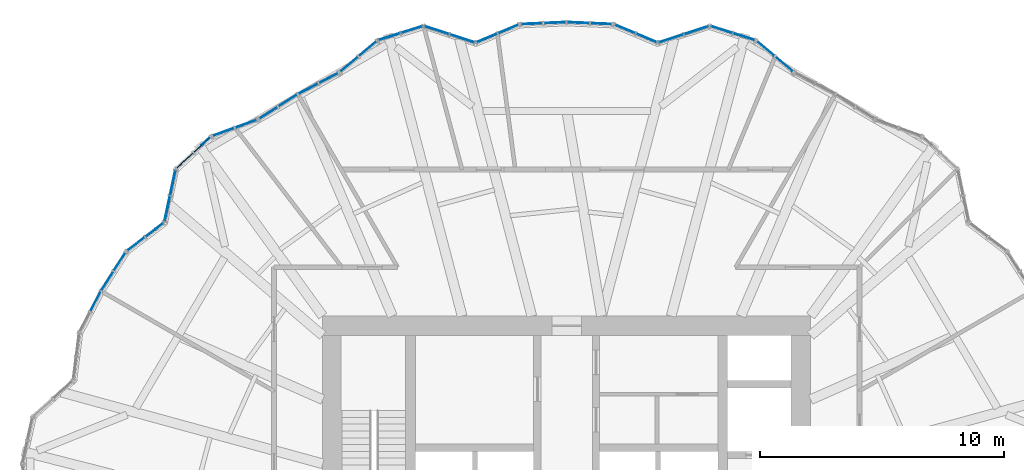
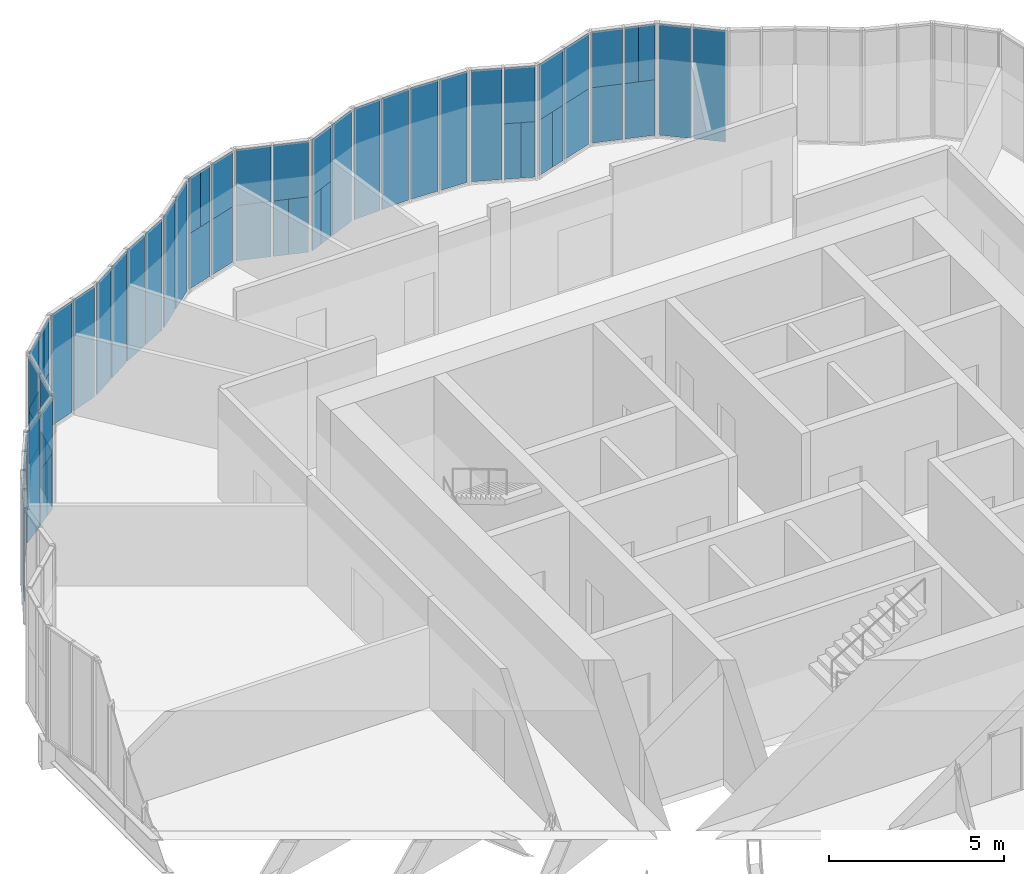
# One storey, part 18 of 23: 59 plates, 18 elements without a shape of their own.
"""IFC4 building model written with IfcOpenShell, lengths in metres."""

from ifc_helpers import new_model, si_unit, direction, frame, origin, origin_2d, place, context, subcontext, project, spatial, rectangle, extrude, material, layer, layer_set, type_object, element, aggregate, save


model = new_model("IFC4")

# Units and contexts
model_context = context("Model", 3, precision=1e-05, world=origin(), true_north=direction((0.0, 1.0)))
body_context = subcontext(model_context, "Body", "Model", "MODEL_VIEW")
ifc_project = project(units=[si_unit("LENGTHUNIT", "METRE"), si_unit("AREAUNIT", "SQUARE_METRE"), si_unit("VOLUMEUNIT", "CUBIC_METRE"), si_unit("PLANEANGLEUNIT", "RADIAN"), si_unit("MASSUNIT", "GRAM", prefix="KILO")], contexts=[model_context])

# Site, building, storey
site_placement = place(None, origin())
site = spatial("IfcSite", under=ifc_project, at=site_placement, CompositionType="ELEMENT")
building_placement = place(site_placement, origin())
building = spatial("IfcBuilding", under=site, at=building_placement, Name="Golbaran Civic Tower", CompositionType="ELEMENT")
storey_placement = place(building_placement, frame((0.0, 0.0, 33.0)))
storey = spatial("IfcBuildingStorey", under=building, at=storey_placement, Name="L07", CompositionType="ELEMENT", Elevation=33.0)

# Curtain wall, plates
ifc_material_1 = material(Name="Aluminium and glass", Category="aluminium")
curtain_wall_type = type_object("IfcCurtainWallType", Name="INNER SKIN CURTAIN WALL", PredefinedType="NOTDEFINED", material=ifc_material_1)
curtain_wall_1_placement = place(storey_placement, origin())
curtain_wall_1 = element("IfcCurtainWall", 1, at=curtain_wall_1_placement, inside=storey, type_object=curtain_wall_type, Name="Inner skin L07 facet 14 CW1", ObjectType="INNER SKIN", PredefinedType="USERDEFINED")
ifc_material_2 = material(Name="Clear insulating glass", Category="glass")
ifc_layer_1 = layer(ifc_material_2, 0.031982421875, Name="Clear insulating glass")
ifc_layer_set_1 = layer_set([ifc_layer_1], Name="Clear insulating glass")
plate_type_1 = type_object("IfcPlateType", Name="INNER SKIN CURTAIN WALL GLAZED PANEL", PredefinedType="CURTAIN_PANEL", material=ifc_layer_set_1)
plate_1_placement = place(storey_placement, frame((8.9130859375, 20.319580078125, 0.06494140625), z_axis=(0.0, 0.0, 1.0), x_axis=(-0.764692479135, 0.644395385113, 0.0)))
plate_1 = element("IfcPlate", 2, at=plate_1_placement, type_object=plate_type_1, Name="CW1 panel 1.1", PredefinedType="CURTAIN_PANEL", context=body_context, shape_type="SweptSolid", body=[
    extrude(rectangle(XDim=0.925537109375, YDim=0.031982421875, at=origin_2d()), origin(), (0.0, 0.0, 1.0), 3.8701171875),
])
plate_2_placement = place(storey_placement, frame((8.155517578125, 20.9580078125, 0.06494140625), z_axis=(0.0, 0.0, 1.0), x_axis=(-0.764692479135, 0.644395385113, 0.0)))
plate_2 = element("IfcPlate", 3, at=plate_2_placement, type_object=plate_type_1, Name="CW1 panel 2.1", PredefinedType="CURTAIN_PANEL", context=body_context, shape_type="SweptSolid", body=[
    extrude(rectangle(XDim=0.925537109375, YDim=0.031982421875, at=origin_2d()), origin(), (0.0, 0.0, 1.0), 3.8701171875),
])
aggregate(curtain_wall_1, [plate_1, plate_2])

# Curtain wall, plate
curtain_wall_2_placement = place(storey_placement, origin())
curtain_wall_2 = element("IfcCurtainWall", 4, at=curtain_wall_2_placement, inside=storey, type_object=curtain_wall_type, Name="Inner skin L07 facet 15 CW1", ObjectType="INNER SKIN", PredefinedType="USERDEFINED")
plate_3_placement = place(storey_placement, frame((7.456298828125, 21.391357421875, 2.0), z_axis=(0.0, 0.0, 1.0), x_axis=(-0.953716950701, 0.300705799654, 0.0)))
plate_3 = element("IfcPlate", 5, at=plate_3_placement, type_object=plate_type_1, Name="CW1 panel 1.1 part 2", PredefinedType="CURTAIN_PANEL", context=body_context, shape_type="SweptSolid", body=[
    extrude(rectangle(XDim=0.489990234375, YDim=0.031982421875, at=origin_2d()), origin(), (0.0, 0.0, 1.0), 1.93505859375),
])

# Curtain wall, plates
curtain_wall_3_placement = place(storey_placement, origin())
curtain_wall_3 = element("IfcCurtainWall", 6, at=curtain_wall_3_placement, inside=storey, type_object=curtain_wall_type, Name="Inner skin L07 facet 16 CW1", ObjectType="INNER SKIN", PredefinedType="USERDEFINED")
plate_4_placement = place(storey_placement, frame((4.074951171875, 21.308837890625, 0.06494140625), z_axis=(0.0, 0.0, 1.0), x_axis=(-0.950760851313, -0.309925480738, 0.0)))
plate_4 = element("IfcPlate", 7, at=plate_4_placement, type_object=plate_type_1, Name="CW1 panel 2.1 part 2", PredefinedType="CURTAIN_PANEL", context=body_context, shape_type="SweptSolid", body=[
    extrude(rectangle(XDim=0.57861328125, YDim=0.031982421875, at=origin_2d()), origin(), (0.0, 0.0, 1.0), 1.93505859375),
])
plate_5_placement = place(storey_placement, frame((4.285400390625, 21.37744140625, 2.0), z_axis=(0.0, 0.0, 1.0), x_axis=(-0.950760851313, -0.309925480738, 0.0)))
plate_5 = element("IfcPlate", 8, at=plate_5_placement, type_object=plate_type_1, Name="CW1 panel 2.1 part 3", PredefinedType="CURTAIN_PANEL", context=body_context, shape_type="SweptSolid", body=[
    extrude(rectangle(XDim=1.021728515625, YDim=0.031982421875, at=origin_2d()), origin(), (0.0, 0.0, 1.0), 1.93505859375),
])

curtain_wall_4_placement = place(storey_placement, origin())
curtain_wall_4 = element("IfcCurtainWall", 9, at=curtain_wall_4_placement, inside=storey, type_object=curtain_wall_type, Name="Inner skin L07 facet 17 CW1", ObjectType="INNER SKIN", PredefinedType="USERDEFINED")
plate_6_placement = place(storey_placement, frame((3.083984375, 21.473388671875, 0.06494140625), z_axis=(0.0, 0.0, 1.0), x_axis=(-0.922132917482, 0.38687321243, 0.0)))
plate_6 = element("IfcPlate", 10, at=plate_6_placement, type_object=plate_type_1, Name="CW1 panel 1.1 part 2", PredefinedType="CURTAIN_PANEL", context=body_context, shape_type="SweptSolid", body=[
    extrude(rectangle(XDim=0.486572265625, YDim=0.031982421875, at=origin_2d()), origin(), (0.0, 0.0, 1.0), 1.93505859375),
])
plate_7_placement = place(storey_placement, frame((3.268798828125, 21.395751953125, 2.0), z_axis=(0.0, 0.0, 1.0), x_axis=(-0.922132917482, 0.38687321243, 0.0)))
plate_7 = element("IfcPlate", 11, at=plate_7_placement, type_object=plate_type_1, Name="CW1 panel 1.1 part 3", PredefinedType="CURTAIN_PANEL", context=body_context, shape_type="SweptSolid", body=[
    extrude(rectangle(XDim=0.887451171875, YDim=0.031982421875, at=origin_2d()), origin(), (0.0, 0.0, 1.0), 1.93505859375),
])
plate_8_placement = place(storey_placement, frame((2.390380859375, 21.764404296875, 0.06494140625), z_axis=(0.0, 0.0, 1.0), x_axis=(-0.922132917482, 0.38687321243, 0.0)))
plate_8 = element("IfcPlate", 12, at=plate_8_placement, type_object=plate_type_1, Name="CW1 panel 2.1", PredefinedType="CURTAIN_PANEL", context=body_context, shape_type="SweptSolid", body=[
    extrude(rectangle(XDim=0.887451171875, YDim=0.031982421875, at=origin_2d()), origin(), (0.0, 0.0, 1.0), 3.8701171875),
])

curtain_wall_5_placement = place(storey_placement, origin())
curtain_wall_5 = element("IfcCurtainWall", 13, at=curtain_wall_5_placement, inside=storey, type_object=curtain_wall_type, Name="Inner skin L07 facet 18 CW1", ObjectType="INNER SKIN", PredefinedType="USERDEFINED")
plate_9_placement = place(storey_placement, frame((1.4248046875, 21.98291015625, 0.06494140625), z_axis=(0.0, 0.0, 1.0), x_axis=(-0.999048221572, 0.043619387592, 0.0)))
plate_9 = element("IfcPlate", 14, at=plate_9_placement, type_object=plate_type_1, Name="CW1 panel 1.1", PredefinedType="CURTAIN_PANEL", context=body_context, shape_type="SweptSolid", body=[
    extrude(rectangle(XDim=0.864013671875, YDim=0.031982421875, at=origin_2d()), origin(), (0.0, 0.0, 1.0), 3.8701171875),
])
plate_10_placement = place(storey_placement, frame((0.480224609375, 22.02392578125, 0.06494140625), z_axis=(0.0, 0.0, 1.0), x_axis=(-0.999048221572, 0.043619387592, 0.0)))
plate_10 = element("IfcPlate", 15, at=plate_10_placement, type_object=plate_type_1, Name="CW1 panel 2.1", PredefinedType="CURTAIN_PANEL", context=body_context, shape_type="SweptSolid", body=[
    extrude(rectangle(XDim=0.896484375, YDim=0.031982421875, at=origin_2d()), origin(), (0.0, 0.0, 1.0), 3.8701171875),
])
aggregate(curtain_wall_5, [plate_9, plate_10])

curtain_wall_6_placement = place(storey_placement, origin())
curtain_wall_6 = element("IfcCurtainWall", 16, at=curtain_wall_6_placement, inside=storey, type_object=curtain_wall_type, Name="Inner skin L07 facet 19 CW1", ObjectType="INNER SKIN", PredefinedType="USERDEFINED")
plate_11_placement = place(storey_placement, frame((-0.480224609375, 22.02392578125, 0.06494140625), z_axis=(0.0, 0.0, 1.0), x_axis=(-0.999048221572, -0.043619387592, 0.0)))
plate_11 = element("IfcPlate", 17, at=plate_11_placement, type_object=plate_type_1, Name="CW1 panel 1.1", PredefinedType="CURTAIN_PANEL", context=body_context, shape_type="SweptSolid", body=[
    extrude(rectangle(XDim=0.896484375, YDim=0.031982421875, at=origin_2d()), origin(), (0.0, 0.0, 1.0), 3.8701171875),
])
plate_12_placement = place(storey_placement, frame((-1.4248046875, 21.98291015625, 0.06494140625), z_axis=(0.0, 0.0, 1.0), x_axis=(-0.999048221572, -0.043619387592, 0.0)))
plate_12 = element("IfcPlate", 18, at=plate_12_placement, type_object=plate_type_1, Name="CW1 panel 2.1", PredefinedType="CURTAIN_PANEL", context=body_context, shape_type="SweptSolid", body=[
    extrude(rectangle(XDim=0.864013671875, YDim=0.031982421875, at=origin_2d()), origin(), (0.0, 0.0, 1.0), 3.8701171875),
])
aggregate(curtain_wall_6, [plate_11, plate_12])

curtain_wall_7_placement = place(storey_placement, origin())
curtain_wall_7 = element("IfcCurtainWall", 19, at=curtain_wall_7_placement, inside=storey, type_object=curtain_wall_type, Name="Inner skin L07 facet 20 CW1", ObjectType="INNER SKIN", PredefinedType="USERDEFINED")
plate_13_placement = place(storey_placement, frame((-2.390380859375, 21.764404296875, 0.06494140625), z_axis=(0.0, 0.0, 1.0), x_axis=(-0.922132917482, -0.38687321243, 0.0)))
plate_13 = element("IfcPlate", 20, at=plate_13_placement, type_object=plate_type_1, Name="CW1 panel 1.1", PredefinedType="CURTAIN_PANEL", context=body_context, shape_type="SweptSolid", body=[
    extrude(rectangle(XDim=0.887451171875, YDim=0.031982421875, at=origin_2d()), origin(), (0.0, 0.0, 1.0), 3.8701171875),
])
plate_14_placement = place(storey_placement, frame((-3.083740234375, 21.473388671875, 0.06494140625), z_axis=(0.0, 0.0, 1.0), x_axis=(-0.922132917482, -0.38687321243, 0.0)))
plate_14 = element("IfcPlate", 21, at=plate_14_placement, type_object=plate_type_1, Name="CW1 panel 2.1 part 1", PredefinedType="CURTAIN_PANEL", context=body_context, shape_type="SweptSolid", body=[
    extrude(rectangle(XDim=0.486083984375, YDim=0.031982421875, at=origin_2d()), origin(), (0.0, 0.0, 1.0), 1.93505859375),
])
plate_15_placement = place(storey_placement, frame((-3.268798828125, 21.395751953125, 2.0), z_axis=(0.0, 0.0, 1.0), x_axis=(-0.922132917482, -0.38687321243, 0.0)))
plate_15 = element("IfcPlate", 22, at=plate_15_placement, type_object=plate_type_1, Name="CW1 panel 2.1 part 3", PredefinedType="CURTAIN_PANEL", context=body_context, shape_type="SweptSolid", body=[
    extrude(rectangle(XDim=0.887451171875, YDim=0.031982421875, at=origin_2d()), origin(), (0.0, 0.0, 1.0), 1.93505859375),
])

curtain_wall_8_placement = place(storey_placement, origin())
curtain_wall_8 = element("IfcCurtainWall", 23, at=curtain_wall_8_placement, inside=storey, type_object=curtain_wall_type, Name="Inner skin L07 facet 21 CW1", ObjectType="INNER SKIN", PredefinedType="USERDEFINED")
plate_16_placement = place(storey_placement, frame((-4.074951171875, 21.308837890625, 0.06494140625), z_axis=(0.0, 0.0, 1.0), x_axis=(-0.950760851313, 0.309925480738, 0.0)))
plate_16 = element("IfcPlate", 24, at=plate_16_placement, type_object=plate_type_1, Name="CW1 panel 1.1 part 1", PredefinedType="CURTAIN_PANEL", context=body_context, shape_type="SweptSolid", body=[
    extrude(rectangle(XDim=0.5791015625, YDim=0.031982421875, at=origin_2d()), origin(), (0.0, 0.0, 1.0), 1.93505859375),
])
plate_17_placement = place(storey_placement, frame((-4.285400390625, 21.37744140625, 2.0), z_axis=(0.0, 0.0, 1.0), x_axis=(-0.950760851313, 0.309925480738, 0.0)))
plate_17 = element("IfcPlate", 25, at=plate_17_placement, type_object=plate_type_1, Name="CW1 panel 1.1 part 3", PredefinedType="CURTAIN_PANEL", context=body_context, shape_type="SweptSolid", body=[
    extrude(rectangle(XDim=1.021728515625, YDim=0.031982421875, at=origin_2d()), origin(), (0.0, 0.0, 1.0), 1.93505859375),
])

# Curtain wall, plate
curtain_wall_9_placement = place(storey_placement, origin())
curtain_wall_9 = element("IfcCurtainWall", 26, at=curtain_wall_9_placement, inside=storey, type_object=curtain_wall_type, Name="Inner skin L07 facet 22 CW1", ObjectType="INNER SKIN", PredefinedType="USERDEFINED")
plate_18_placement = place(storey_placement, frame((-7.455810546875, 21.3916015625, 2.0), z_axis=(0.0, 0.0, 1.0), x_axis=(-0.953716950701, -0.300705799654, 0.0)))
plate_18 = element("IfcPlate", 27, at=plate_18_placement, type_object=plate_type_1, Name="CW1 panel 2.1 part 3", PredefinedType="CURTAIN_PANEL", context=body_context, shape_type="SweptSolid", body=[
    extrude(rectangle(XDim=0.4912109375, YDim=0.031982421875, at=origin_2d()), origin(), (0.0, 0.0, 1.0), 1.93505859375),
])

# Curtain wall, plates
curtain_wall_10_placement = place(storey_placement, origin())
curtain_wall_10 = element("IfcCurtainWall", 28, at=curtain_wall_10_placement, inside=storey, type_object=curtain_wall_type, Name="Inner skin L07 facet 23 CW1", ObjectType="INNER SKIN", PredefinedType="USERDEFINED")
plate_19_placement = place(storey_placement, frame((-8.155517578125, 20.9580078125, 0.06494140625), z_axis=(0.0, 0.0, 1.0), x_axis=(-0.764692479135, -0.644395385113, 0.0)))
plate_19 = element("IfcPlate", 29, at=plate_19_placement, type_object=plate_type_1, Name="CW1 panel 1.1", PredefinedType="CURTAIN_PANEL", context=body_context, shape_type="SweptSolid", body=[
    extrude(rectangle(XDim=0.925537109375, YDim=0.031982421875, at=origin_2d()), origin(), (0.0, 0.0, 1.0), 3.8701171875),
])
plate_20_placement = place(storey_placement, frame((-8.9130859375, 20.319580078125, 0.06494140625), z_axis=(0.0, 0.0, 1.0), x_axis=(-0.764692479135, -0.644395385113, 0.0)))
plate_20 = element("IfcPlate", 30, at=plate_20_placement, type_object=plate_type_1, Name="CW1 panel 2.1", PredefinedType="CURTAIN_PANEL", context=body_context, shape_type="SweptSolid", body=[
    extrude(rectangle(XDim=0.925537109375, YDim=0.031982421875, at=origin_2d()), origin(), (0.0, 0.0, 1.0), 3.8701171875),
])
aggregate(curtain_wall_10, [plate_19, plate_20])

curtain_wall_11_placement = place(storey_placement, origin())
curtain_wall_11 = element("IfcCurtainWall", 31, at=curtain_wall_11_placement, inside=storey, type_object=curtain_wall_type, Name="Inner skin L07 facet 24 CW1", ObjectType="INNER SKIN", PredefinedType="USERDEFINED")
plate_21_placement = place(storey_placement, frame((-9.757568359375, 19.75, 0.06494140625), z_axis=(0.0, 0.0, 1.0), x_axis=(-0.887010833146, -0.461748613297, 0.0)))
plate_21 = element("IfcPlate", 32, at=plate_21_placement, type_object=plate_type_1, Name="CW1 panel 1.1", PredefinedType="CURTAIN_PANEL", context=body_context, shape_type="SweptSolid", body=[
    extrude(rectangle(XDim=0.864013671875, YDim=0.031982421875, at=origin_2d()), origin(), (0.0, 0.0, 1.0), 3.8701171875),
])
plate_22_placement = place(storey_placement, frame((-10.595947265625, 19.3134765625, 0.06494140625), z_axis=(0.0, 0.0, 1.0), x_axis=(-0.887010833146, -0.461748613297, 0.0)))
plate_22 = element("IfcPlate", 33, at=plate_22_placement, type_object=plate_type_1, Name="CW1 panel 2.1", PredefinedType="CURTAIN_PANEL", context=body_context, shape_type="SweptSolid", body=[
    extrude(rectangle(XDim=0.896484375, YDim=0.031982421875, at=origin_2d()), origin(), (0.0, 0.0, 1.0), 3.8701171875),
])
aggregate(curtain_wall_11, [plate_21, plate_22])

curtain_wall_12_placement = place(storey_placement, origin())
curtain_wall_12 = element("IfcCurtainWall", 34, at=curtain_wall_12_placement, inside=storey, type_object=curtain_wall_type, Name="Inner skin L07 facet 25 CW1", ObjectType="INNER SKIN", PredefinedType="USERDEFINED")
plate_23_placement = place(storey_placement, frame((-11.427978515625, 18.833251953125, 0.06494140625), z_axis=(0.0, 0.0, 1.0), x_axis=(-0.843391445775, -0.537299608406, 0.0)))
plate_23 = element("IfcPlate", 35, at=plate_23_placement, type_object=plate_type_1, Name="CW1 panel 1.1", PredefinedType="CURTAIN_PANEL", context=body_context, shape_type="SweptSolid", body=[
    extrude(rectangle(XDim=0.896484375, YDim=0.031982421875, at=origin_2d()), origin(), (0.0, 0.0, 1.0), 3.8701171875),
])
plate_24_placement = place(storey_placement, frame((-12.225341796875, 18.3251953125, 0.06494140625), z_axis=(0.0, 0.0, 1.0), x_axis=(-0.843391445775, -0.537299608406, 0.0)))
plate_24 = element("IfcPlate", 36, at=plate_24_placement, type_object=plate_type_1, Name="CW1 panel 2.1", PredefinedType="CURTAIN_PANEL", context=body_context, shape_type="SweptSolid", body=[
    extrude(rectangle(XDim=0.864013671875, YDim=0.031982421875, at=origin_2d()), origin(), (0.0, 0.0, 1.0), 3.8701171875),
])
aggregate(curtain_wall_12, [plate_23, plate_24])

curtain_wall_13_placement = place(storey_placement, origin())
curtain_wall_13 = element("IfcCurtainWall", 37, at=curtain_wall_13_placement, inside=storey, type_object=curtain_wall_type, Name="Inner skin L07 facet 26 CW1", ObjectType="INNER SKIN", PredefinedType="USERDEFINED")
plate_25_placement = place(storey_placement, frame((-13.140869140625, 17.878662109375, 0.06494140625), z_axis=(0.0, 0.0, 1.0), x_axis=(-0.940409013239, -0.340045420228, 0.0)))
plate_25 = element("IfcPlate", 38, at=plate_25_placement, type_object=plate_type_1, Name="CW1 panel 1.1", PredefinedType="CURTAIN_PANEL", context=body_context, shape_type="SweptSolid", body=[
    extrude(rectangle(XDim=0.925537109375, YDim=0.031982421875, at=origin_2d()), origin(), (0.0, 0.0, 1.0), 3.8701171875),
])
plate_26_placement = place(storey_placement, frame((-14.072509765625, 17.5419921875, 0.06494140625), z_axis=(0.0, 0.0, 1.0), x_axis=(-0.940409013239, -0.340045420228, 0.0)))
plate_26 = element("IfcPlate", 39, at=plate_26_placement, type_object=plate_type_1, Name="CW1 panel 2.1", PredefinedType="CURTAIN_PANEL", context=body_context, shape_type="SweptSolid", body=[
    extrude(rectangle(XDim=0.925537109375, YDim=0.031982421875, at=origin_2d()), origin(), (0.0, 0.0, 1.0), 3.8701171875),
])
aggregate(curtain_wall_13, [plate_25, plate_26])

# Curtain wall, plate
curtain_wall_14_placement = place(storey_placement, origin())
curtain_wall_14 = element("IfcCurtainWall", 40, at=curtain_wall_14_placement, inside=storey, type_object=curtain_wall_type, Name="Inner skin L07 facet 27 CW1", ObjectType="INNER SKIN", PredefinedType="USERDEFINED")
plate_27_placement = place(storey_placement, frame((-14.79736328125, 17.153076171875, 2.0), z_axis=(0.0, 0.0, 1.0), x_axis=(-0.737277336975, -0.675590207436, 0.0)))
plate_27 = element("IfcPlate", 41, at=plate_27_placement, type_object=plate_type_1, Name="CW1 panel 1.1 part 2", PredefinedType="CURTAIN_PANEL", context=body_context, shape_type="SweptSolid", body=[
    extrude(rectangle(XDim=0.489990234375, YDim=0.031982421875, at=origin_2d()), origin(), (0.0, 0.0, 1.0), 1.93505859375),
])

# Curtain wall, plates
curtain_wall_15_placement = place(storey_placement, origin())
curtain_wall_15 = element("IfcCurtainWall", 42, at=curtain_wall_15_placement, inside=storey, type_object=curtain_wall_type, Name="Inner skin L07 facet 28 CW1", ObjectType="INNER SKIN", PredefinedType="USERDEFINED")
plate_28_placement = place(storey_placement, frame((-16.41650390625, 14.183349609375, 0.06494140625), z_axis=(0.0, 0.0, 1.0), x_axis=(-0.206977086194, -0.978345790501, 0.0)))
plate_28 = element("IfcPlate", 43, at=plate_28_placement, type_object=plate_type_1, Name="CW1 panel 2.1 part 2", PredefinedType="CURTAIN_PANEL", context=body_context, shape_type="SweptSolid", body=[
    extrude(rectangle(XDim=0.57861328125, YDim=0.031982421875, at=origin_2d()), origin(), (0.0, 0.0, 1.0), 1.93505859375),
])
plate_29_placement = place(storey_placement, frame((-16.37060546875, 14.400146484375, 2.0), z_axis=(0.0, 0.0, 1.0), x_axis=(-0.206977086194, -0.978345790501, 0.0)))
plate_29 = element("IfcPlate", 44, at=plate_29_placement, type_object=plate_type_1, Name="CW1 panel 2.1 part 3", PredefinedType="CURTAIN_PANEL", context=body_context, shape_type="SweptSolid", body=[
    extrude(rectangle(XDim=1.021728515625, YDim=0.031982421875, at=origin_2d()), origin(), (0.0, 0.0, 1.0), 1.93505859375),
])

curtain_wall_16_placement = place(storey_placement, origin())
curtain_wall_16 = element("IfcCurtainWall", 45, at=curtain_wall_16_placement, inside=storey, type_object=curtain_wall_type, Name="Inner skin L07 facet 29 CW1", ObjectType="INNER SKIN", PredefinedType="USERDEFINED")
plate_30_placement = place(storey_placement, frame((-17.054443359375, 13.407470703125, 0.06494140625), z_axis=(0.0, 0.0, 1.0), x_axis=(-0.796108488496, -0.605153926324, 0.0)))
plate_30 = element("IfcPlate", 46, at=plate_30_placement, type_object=plate_type_1, Name="CW1 panel 1.1 part 2", PredefinedType="CURTAIN_PANEL", context=body_context, shape_type="SweptSolid", body=[
    extrude(rectangle(XDim=0.486572265625, YDim=0.031982421875, at=origin_2d()), origin(), (0.0, 0.0, 1.0), 1.93505859375),
])
plate_31_placement = place(storey_placement, frame((-16.894775390625, 13.52880859375, 2.0), z_axis=(0.0, 0.0, 1.0), x_axis=(-0.796108488496, -0.605153926324, 0.0)))
plate_31 = element("IfcPlate", 47, at=plate_31_placement, type_object=plate_type_1, Name="CW1 panel 1.1 part 3", PredefinedType="CURTAIN_PANEL", context=body_context, shape_type="SweptSolid", body=[
    extrude(rectangle(XDim=0.887451171875, YDim=0.031982421875, at=origin_2d()), origin(), (0.0, 0.0, 1.0), 1.93505859375),
])
plate_32_placement = place(storey_placement, frame((-17.653076171875, 12.952392578125, 0.06494140625), z_axis=(0.0, 0.0, 1.0), x_axis=(-0.796108488496, -0.605153926324, 0.0)))
plate_32 = element("IfcPlate", 48, at=plate_32_placement, type_object=plate_type_1, Name="CW1 panel 2.1", PredefinedType="CURTAIN_PANEL", context=body_context, shape_type="SweptSolid", body=[
    extrude(rectangle(XDim=0.887451171875, YDim=0.031982421875, at=origin_2d()), origin(), (0.0, 0.0, 1.0), 3.8701171875),
])

curtain_wall_17_placement = place(storey_placement, origin())
curtain_wall_17 = element("IfcCurtainWall", 49, at=curtain_wall_17_placement, inside=storey, type_object=curtain_wall_type, Name="Inner skin L07 facet 30 CW1", ObjectType="INNER SKIN", PredefinedType="USERDEFINED")
plate_33_placement = place(storey_placement, frame((-18.3251953125, 12.225341796875, 0.06494140625), z_axis=(0.0, 0.0, 1.0), x_axis=(-0.537299608406, -0.843391445775, 0.0)))
plate_33 = element("IfcPlate", 50, at=plate_33_placement, type_object=plate_type_1, Name="CW1 panel 1.1", PredefinedType="CURTAIN_PANEL", context=body_context, shape_type="SweptSolid", body=[
    extrude(rectangle(XDim=0.864013671875, YDim=0.031982421875, at=origin_2d()), origin(), (0.0, 0.0, 1.0), 3.8701171875),
])
plate_34_placement = place(storey_placement, frame((-18.833251953125, 11.427978515625, 0.06494140625), z_axis=(0.0, 0.0, 1.0), x_axis=(-0.537299608406, -0.843391445775, 0.0)))
plate_34 = element("IfcPlate", 51, at=plate_34_placement, type_object=plate_type_1, Name="CW1 panel 2.1", PredefinedType="CURTAIN_PANEL", context=body_context, shape_type="SweptSolid", body=[
    extrude(rectangle(XDim=0.896484375, YDim=0.031982421875, at=origin_2d()), origin(), (0.0, 0.0, 1.0), 3.8701171875),
])
aggregate(curtain_wall_17, [plate_33, plate_34])

# Curtain wall, plate
curtain_wall_18_placement = place(storey_placement, origin())
curtain_wall_18 = element("IfcCurtainWall", 52, at=curtain_wall_18_placement, inside=storey, type_object=curtain_wall_type, Name="Inner skin L07 facet 31 CW1", ObjectType="INNER SKIN", PredefinedType="USERDEFINED")
plate_35_placement = place(storey_placement, frame((-19.3134765625, 10.595947265625, 0.06494140625), z_axis=(0.0, 0.0, 1.0), x_axis=(-0.461748613297, -0.887010833146, 0.0)))
plate_35 = element("IfcPlate", 53, at=plate_35_placement, type_object=plate_type_1, Name="CW1 panel 1.1", PredefinedType="CURTAIN_PANEL", context=body_context, shape_type="SweptSolid", body=[
    extrude(rectangle(XDim=0.896484375, YDim=0.031982421875, at=origin_2d()), origin(), (0.0, 0.0, 1.0), 3.8701171875),
])
aggregate(curtain_wall_18, [plate_35])

# Plate
ifc_material_3 = material(Name="Aluminium faced opaque infill panel", Category="aluminium")
ifc_layer_2 = layer(ifc_material_3, 0.031982421875, Name="Aluminium faced opaque infill panel")
ifc_layer_set_2 = layer_set([ifc_layer_2], Name="Aluminium faced opaque infill panel")
plate_type_2 = type_object("IfcPlateType", Name="INNER SKIN CURTAIN WALL OPAQUE INFILL PANEL", PredefinedType="CURTAIN_PANEL", material=ifc_layer_set_2)
plate_36_placement = place(storey_placement, frame((7.264892578125, 21.45166015625, 0.06494140625), z_axis=(0.0, 0.0, 1.0), x_axis=(-0.953716950701, 0.300705799654, 0.0)))
plate_36 = element("IfcPlate", 54, at=plate_36_placement, type_object=plate_type_2, Name="CW1 infill panel 1.1 part 1", PredefinedType="CURTAIN_PANEL", context=body_context, shape_type="SweptSolid", body=[
    extrude(rectangle(XDim=0.89111328125, YDim=0.031982421875, at=origin_2d()), origin(), (0.0, 0.0, 1.0), 1.93505859375),
])

plate_37_placement = place(storey_placement, frame((7.03125, 21.525390625, 2.0), z_axis=(0.0, 0.0, 1.0), x_axis=(-0.953716950701, 0.300705799654, 0.0)))
plate_37 = element("IfcPlate", 55, at=plate_37_placement, type_object=plate_type_2, Name="CW1 infill panel 1.1 part 3", PredefinedType="CURTAIN_PANEL", context=body_context, shape_type="SweptSolid", body=[
    extrude(rectangle(XDim=0.401123046875, YDim=0.031982421875, at=origin_2d()), origin(), (0.0, 0.0, 1.0), 1.93505859375),
])

plate_38_placement = place(storey_placement, frame((6.35302734375, 21.7392578125, 0.06494140625), z_axis=(0.0, 0.0, 1.0), x_axis=(-0.953716950701, 0.300705799654, 0.0)))
plate_38 = element("IfcPlate", 56, at=plate_38_placement, type_object=plate_type_2, Name="CW1 infill panel 2.1 part 1", PredefinedType="CURTAIN_PANEL", context=body_context, shape_type="SweptSolid", body=[
    extrude(rectangle(XDim=0.89111328125, YDim=0.031982421875, at=origin_2d()), origin(), (0.0, 0.0, 1.0), 1.93505859375),
])

plate_39_placement = place(storey_placement, frame((6.35302734375, 21.7392578125, 2.0), z_axis=(0.0, 0.0, 1.0), x_axis=(-0.953716950701, 0.300705799654, 0.0)))
plate_39 = element("IfcPlate", 57, at=plate_39_placement, type_object=plate_type_2, Name="CW1 infill panel 2.1 part 2", PredefinedType="CURTAIN_PANEL", context=body_context, shape_type="SweptSolid", body=[
    extrude(rectangle(XDim=0.89111328125, YDim=0.031982421875, at=origin_2d()), origin(), (0.0, 0.0, 1.0), 1.93505859375),
])

aggregate(curtain_wall_2, [plate_36, plate_3, plate_37, plate_38, plate_39])

plate_40_placement = place(storey_placement, frame((5.318603515625, 21.71435546875, 0.06494140625), z_axis=(0.0, 0.0, 1.0), x_axis=(-0.950760851313, -0.309925480738, 0.0)))
plate_40 = element("IfcPlate", 58, at=plate_40_placement, type_object=plate_type_2, Name="CW1 infill panel 1.1 part 1", PredefinedType="CURTAIN_PANEL", context=body_context, shape_type="SweptSolid", body=[
    extrude(rectangle(XDim=1.021728515625, YDim=0.031982421875, at=origin_2d()), origin(), (0.0, 0.0, 1.0), 1.93505859375),
])

plate_41_placement = place(storey_placement, frame((5.318603515625, 21.71435546875, 2.0), z_axis=(0.0, 0.0, 1.0), x_axis=(-0.950760851313, -0.309925480738, 0.0)))
plate_41 = element("IfcPlate", 59, at=plate_41_placement, type_object=plate_type_2, Name="CW1 infill panel 1.1 part 2", PredefinedType="CURTAIN_PANEL", context=body_context, shape_type="SweptSolid", body=[
    extrude(rectangle(XDim=1.021728515625, YDim=0.031982421875, at=origin_2d()), origin(), (0.0, 0.0, 1.0), 1.93505859375),
])

plate_42_placement = place(storey_placement, frame((4.560546875, 21.467041015625, 0.06494140625), z_axis=(0.0, 0.0, 1.0), x_axis=(-0.950760851313, -0.309925480738, 0.0)))
plate_42 = element("IfcPlate", 60, at=plate_42_placement, type_object=plate_type_2, Name="CW1 infill panel 2.1 part 1", PredefinedType="CURTAIN_PANEL", context=body_context, shape_type="SweptSolid", body=[
    extrude(rectangle(XDim=0.443115234375, YDim=0.031982421875, at=origin_2d()), origin(), (0.0, 0.0, 1.0), 1.93505859375),
])

aggregate(curtain_wall_3, [plate_40, plate_41, plate_42, plate_4, plate_5])

plate_43_placement = place(storey_placement, frame((3.4931640625, 21.3017578125, 0.06494140625), z_axis=(0.0, 0.0, 1.0), x_axis=(-0.922132917482, 0.38687321243, 0.0)))
plate_43 = element("IfcPlate", 61, at=plate_43_placement, type_object=plate_type_2, Name="CW1 infill panel 1.1 part 1", PredefinedType="CURTAIN_PANEL", context=body_context, shape_type="SweptSolid", body=[
    extrude(rectangle(XDim=0.40087890625, YDim=0.031982421875, at=origin_2d()), origin(), (0.0, 0.0, 1.0), 1.93505859375),
])

aggregate(curtain_wall_4, [plate_43, plate_6, plate_7, plate_8])

plate_44_placement = place(storey_placement, frame((-3.492919921875, 21.3017578125, 0.06494140625), z_axis=(0.0, 0.0, 1.0), x_axis=(-0.922132917482, -0.38687321243, 0.0)))
plate_44 = element("IfcPlate", 62, at=plate_44_placement, type_object=plate_type_2, Name="CW1 infill panel 2.1 part 2", PredefinedType="CURTAIN_PANEL", context=body_context, shape_type="SweptSolid", body=[
    extrude(rectangle(XDim=0.401611328125, YDim=0.031982421875, at=origin_2d()), origin(), (0.0, 0.0, 1.0), 1.93505859375),
])

aggregate(curtain_wall_7, [plate_13, plate_14, plate_44, plate_15])

plate_45_placement = place(storey_placement, frame((-4.560791015625, 21.46728515625, 0.06494140625), z_axis=(0.0, 0.0, 1.0), x_axis=(-0.950760851313, 0.309925480738, 0.0)))
plate_45 = element("IfcPlate", 63, at=plate_45_placement, type_object=plate_type_2, Name="CW1 infill panel 1.1 part 2", PredefinedType="CURTAIN_PANEL", context=body_context, shape_type="SweptSolid", body=[
    extrude(rectangle(XDim=0.442626953125, YDim=0.031982421875, at=origin_2d()), origin(), (0.0, 0.0, 1.0), 1.93505859375),
])

plate_46_placement = place(storey_placement, frame((-5.318603515625, 21.71435546875, 0.06494140625), z_axis=(0.0, 0.0, 1.0), x_axis=(-0.950760851313, 0.309925480738, 0.0)))
plate_46 = element("IfcPlate", 64, at=plate_46_placement, type_object=plate_type_2, Name="CW1 infill panel 2.1 part 1", PredefinedType="CURTAIN_PANEL", context=body_context, shape_type="SweptSolid", body=[
    extrude(rectangle(XDim=1.021728515625, YDim=0.031982421875, at=origin_2d()), origin(), (0.0, 0.0, 1.0), 1.93505859375),
])

plate_47_placement = place(storey_placement, frame((-5.318603515625, 21.71435546875, 2.0), z_axis=(0.0, 0.0, 1.0), x_axis=(-0.950760851313, 0.309925480738, 0.0)))
plate_47 = element("IfcPlate", 65, at=plate_47_placement, type_object=plate_type_2, Name="CW1 infill panel 2.1 part 2", PredefinedType="CURTAIN_PANEL", context=body_context, shape_type="SweptSolid", body=[
    extrude(rectangle(XDim=1.021728515625, YDim=0.031982421875, at=origin_2d()), origin(), (0.0, 0.0, 1.0), 1.93505859375),
])

aggregate(curtain_wall_8, [plate_16, plate_45, plate_17, plate_46, plate_47])

plate_48_placement = place(storey_placement, frame((-6.35302734375, 21.7392578125, 0.06494140625), z_axis=(0.0, 0.0, 1.0), x_axis=(-0.953716950701, -0.300705799654, 0.0)))
plate_48 = element("IfcPlate", 66, at=plate_48_placement, type_object=plate_type_2, Name="CW1 infill panel 1.1 part 1", PredefinedType="CURTAIN_PANEL", context=body_context, shape_type="SweptSolid", body=[
    extrude(rectangle(XDim=0.89111328125, YDim=0.031982421875, at=origin_2d()), origin(), (0.0, 0.0, 1.0), 1.93505859375),
])

plate_49_placement = place(storey_placement, frame((-6.35302734375, 21.7392578125, 2.0), z_axis=(0.0, 0.0, 1.0), x_axis=(-0.953716950701, -0.300705799654, 0.0)))
plate_49 = element("IfcPlate", 67, at=plate_49_placement, type_object=plate_type_2, Name="CW1 infill panel 1.1 part 2", PredefinedType="CURTAIN_PANEL", context=body_context, shape_type="SweptSolid", body=[
    extrude(rectangle(XDim=0.89111328125, YDim=0.031982421875, at=origin_2d()), origin(), (0.0, 0.0, 1.0), 1.93505859375),
])

plate_50_placement = place(storey_placement, frame((-7.264892578125, 21.45166015625, 0.06494140625), z_axis=(0.0, 0.0, 1.0), x_axis=(-0.953716950701, -0.300705799654, 0.0)))
plate_50 = element("IfcPlate", 68, at=plate_50_placement, type_object=plate_type_2, Name="CW1 infill panel 2.1 part 1", PredefinedType="CURTAIN_PANEL", context=body_context, shape_type="SweptSolid", body=[
    extrude(rectangle(XDim=0.89111328125, YDim=0.031982421875, at=origin_2d()), origin(), (0.0, 0.0, 1.0), 1.93505859375),
])

plate_51_placement = place(storey_placement, frame((-7.03076171875, 21.525390625, 2.0), z_axis=(0.0, 0.0, 1.0), x_axis=(-0.953716950701, -0.300705799654, 0.0)))
plate_51 = element("IfcPlate", 69, at=plate_51_placement, type_object=plate_type_2, Name="CW1 infill panel 2.1 part 2", PredefinedType="CURTAIN_PANEL", context=body_context, shape_type="SweptSolid", body=[
    extrude(rectangle(XDim=0.39990234375, YDim=0.031982421875, at=origin_2d()), origin(), (0.0, 0.0, 1.0), 1.93505859375),
])

aggregate(curtain_wall_9, [plate_48, plate_49, plate_50, plate_51, plate_18])

plate_52_placement = place(storey_placement, frame((-14.9453125, 17.017578125, 0.06494140625), z_axis=(0.0, 0.0, 1.0), x_axis=(-0.737277336975, -0.675590207436, 0.0)))
plate_52 = element("IfcPlate", 70, at=plate_52_placement, type_object=plate_type_2, Name="CW1 infill panel 1.1 part 1", PredefinedType="CURTAIN_PANEL", context=body_context, shape_type="SweptSolid", body=[
    extrude(rectangle(XDim=0.89111328125, YDim=0.031982421875, at=origin_2d()), origin(), (0.0, 0.0, 1.0), 1.93505859375),
])

plate_53_placement = place(storey_placement, frame((-15.125732421875, 16.85205078125, 2.0), z_axis=(0.0, 0.0, 1.0), x_axis=(-0.737277336975, -0.675590207436, 0.0)))
plate_53 = element("IfcPlate", 71, at=plate_53_placement, type_object=plate_type_2, Name="CW1 infill panel 1.1 part 3", PredefinedType="CURTAIN_PANEL", context=body_context, shape_type="SweptSolid", body=[
    extrude(rectangle(XDim=0.401123046875, YDim=0.031982421875, at=origin_2d()), origin(), (0.0, 0.0, 1.0), 1.93505859375),
])

plate_54_placement = place(storey_placement, frame((-15.650146484375, 16.37158203125, 0.06494140625), z_axis=(0.0, 0.0, 1.0), x_axis=(-0.737277336975, -0.675590207436, 0.0)))
plate_54 = element("IfcPlate", 72, at=plate_54_placement, type_object=plate_type_2, Name="CW1 infill panel 2.1 part 1", PredefinedType="CURTAIN_PANEL", context=body_context, shape_type="SweptSolid", body=[
    extrude(rectangle(XDim=0.89111328125, YDim=0.031982421875, at=origin_2d()), origin(), (0.0, 0.0, 1.0), 1.93505859375),
])

plate_55_placement = place(storey_placement, frame((-15.650146484375, 16.37158203125, 2.0), z_axis=(0.0, 0.0, 1.0), x_axis=(-0.737277336975, -0.675590207436, 0.0)))
plate_55 = element("IfcPlate", 73, at=plate_55_placement, type_object=plate_type_2, Name="CW1 infill panel 2.1 part 2", PredefinedType="CURTAIN_PANEL", context=body_context, shape_type="SweptSolid", body=[
    extrude(rectangle(XDim=0.89111328125, YDim=0.031982421875, at=origin_2d()), origin(), (0.0, 0.0, 1.0), 1.93505859375),
])

aggregate(curtain_wall_14, [plate_52, plate_27, plate_53, plate_54, plate_55])

plate_56_placement = place(storey_placement, frame((-16.145751953125, 15.463134765625, 0.06494140625), z_axis=(0.0, 0.0, 1.0), x_axis=(-0.206977086194, -0.978345790501, 0.0)))
plate_56 = element("IfcPlate", 74, at=plate_56_placement, type_object=plate_type_2, Name="CW1 infill panel 1.1 part 1", PredefinedType="CURTAIN_PANEL", context=body_context, shape_type="SweptSolid", body=[
    extrude(rectangle(XDim=1.021728515625, YDim=0.031982421875, at=origin_2d()), origin(), (0.0, 0.0, 1.0), 1.93505859375),
])

plate_57_placement = place(storey_placement, frame((-16.145751953125, 15.463134765625, 2.0), z_axis=(0.0, 0.0, 1.0), x_axis=(-0.206977086194, -0.978345790501, 0.0)))
plate_57 = element("IfcPlate", 75, at=plate_57_placement, type_object=plate_type_2, Name="CW1 infill panel 1.1 part 2", PredefinedType="CURTAIN_PANEL", context=body_context, shape_type="SweptSolid", body=[
    extrude(rectangle(XDim=1.021728515625, YDim=0.031982421875, at=origin_2d()), origin(), (0.0, 0.0, 1.0), 1.93505859375),
])

plate_58_placement = place(storey_placement, frame((-16.310791015625, 14.68310546875, 0.06494140625), z_axis=(0.0, 0.0, 1.0), x_axis=(-0.206977086194, -0.978345790501, 0.0)))
plate_58 = element("IfcPlate", 76, at=plate_58_placement, type_object=plate_type_2, Name="CW1 infill panel 2.1 part 1", PredefinedType="CURTAIN_PANEL", context=body_context, shape_type="SweptSolid", body=[
    extrude(rectangle(XDim=0.443115234375, YDim=0.031982421875, at=origin_2d()), origin(), (0.0, 0.0, 1.0), 1.93505859375),
])

aggregate(curtain_wall_15, [plate_56, plate_57, plate_58, plate_28, plate_29])

plate_59_placement = place(storey_placement, frame((-16.701171875, 13.676025390625, 0.06494140625), z_axis=(0.0, 0.0, 1.0), x_axis=(-0.796108488496, -0.605153926324, 0.0)))
plate_59 = element("IfcPlate", 77, at=plate_59_placement, type_object=plate_type_2, Name="CW1 infill panel 1.1 part 1", PredefinedType="CURTAIN_PANEL", context=body_context, shape_type="SweptSolid", body=[
    extrude(rectangle(XDim=0.40087890625, YDim=0.031982421875, at=origin_2d()), origin(), (0.0, 0.0, 1.0), 1.93505859375),
])

aggregate(curtain_wall_16, [plate_59, plate_30, plate_31, plate_32])

save(model, "model.ifc")
